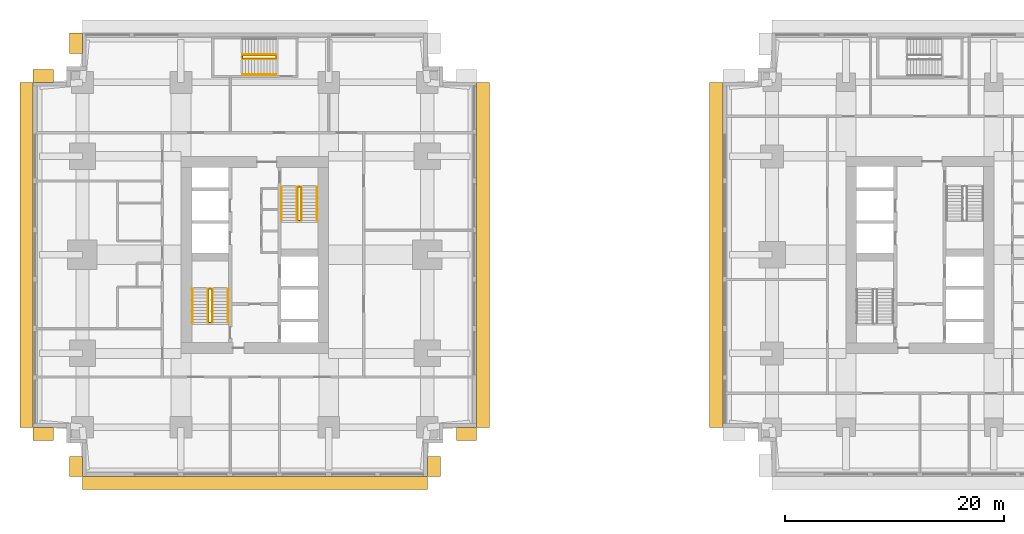
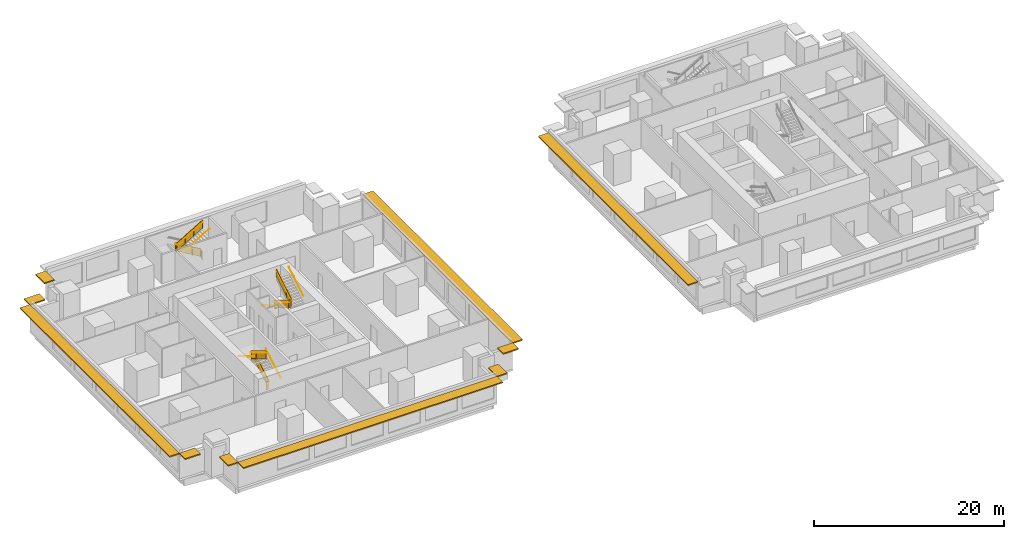
# One storey, part 9 of 11: 14 railings, 10 shading devices.
"""IFC4 building model written with IfcOpenShell, lengths in metres."""

from ifc_helpers import new_model, si_unit, direction, frame, origin, origin_2d, place, context, subcontext, project, spatial, polyline, rectangle, circle, outline, extrude, material, layer, layer_set, type_object, element, save


model = new_model("IFC4")

# Units and contexts
model_context = context("Model", 3, precision=1e-05, world=origin(), true_north=direction((0.0, 1.0)))
body_context = subcontext(model_context, "Body", "Model", "MODEL_VIEW")
ifc_project = project(units=[si_unit("LENGTHUNIT", "METRE"), si_unit("AREAUNIT", "SQUARE_METRE"), si_unit("VOLUMEUNIT", "CUBIC_METRE"), si_unit("PLANEANGLEUNIT", "RADIAN"), si_unit("MASSUNIT", "GRAM", prefix="KILO")], contexts=[model_context])

# Site, building, storey
site_placement = place(None, origin())
site = spatial("IfcSite", under=ifc_project, at=site_placement, CompositionType="ELEMENT")
building_placement = place(site_placement, origin())
building = spatial("IfcBuilding", under=site, at=building_placement, Name="Namib Vertical Campus", CompositionType="ELEMENT")
storey_placement = place(building_placement, frame((0.0, 0.0, 65.0)))
storey = spatial("IfcBuildingStorey", under=building, at=storey_placement, Name="L15", CompositionType="ELEMENT", Elevation=65.0)

# Railings
ifc_material_1 = material(Name="Steel handrail", Category="steel")
railing_type_1 = type_object("IfcRailingType", Name="Handrail 900", PredefinedType="HANDRAIL", material=ifc_material_1)
railing_1_placement = place(storey_placement, frame((17.800048828125, 14.050048828125, 0.166748046875)))
element("IfcRailing", 1, at=railing_1_placement, inside=storey, type_object=railing_type_1, Name="Handrail HR1 A-S1 L15 1", PredefinedType="HANDRAIL", context=body_context, shape_type="SweptSolid", body=[
    extrude(circle(Radius=0.02392578125, at=origin_2d()), frame((0.0, 0.0, 0.8759765625), z_axis=(0.0, 0.859290745958, 0.51148745235), x_axis=(-1.0, 0.0, 0.0)), (0.0, 0.0, 1.0), 3.584228515625),
    extrude(circle(Radius=0.008056640625, at=origin_2d()), frame((0.0, 0.0, 0.8759765625), z_axis=(1.0, 0.0, 0.0), x_axis=(0.0, 0.0, 1.0)), (0.0, 0.0, 1.0), 0.050048828125),
    extrude(circle(Radius=0.008056640625, at=origin_2d()), frame((0.0, 1.026611328125, 1.48681640625), z_axis=(1.0, 0.0, 0.0), x_axis=(0.0, 0.0, 1.0)), (0.0, 0.0, 1.0), 0.050048828125),
    extrude(circle(Radius=0.008056640625, at=origin_2d()), frame((0.0, 2.05322265625, 2.09814453125), z_axis=(1.0, 0.0, 0.0), x_axis=(0.0, 0.0, 1.0)), (0.0, 0.0, 1.0), 0.050048828125),
    extrude(circle(Radius=0.008056640625, at=origin_2d()), frame((0.0, 3.079833984375, 2.708984375), z_axis=(1.0, 0.0, 0.0), x_axis=(0.0, 0.0, 1.0)), (0.0, 0.0, 1.0), 0.050048828125),
])
railing_2_placement = place(storey_placement, frame((14.550048828125, 17.1298828125, 2.166748046875)))
element("IfcRailing", 2, at=railing_2_placement, inside=storey, type_object=railing_type_1, Name="Handrail HR1 A-S1 L15 2", PredefinedType="HANDRAIL", context=body_context, shape_type="SweptSolid", body=[
    extrude(circle(Radius=0.02392578125, at=origin_2d()), frame((0.0, 0.0, 0.8759765625), z_axis=(0.0, -0.859290745958, 0.51148745235), x_axis=(1.0, 0.0, 0.0)), (0.0, 0.0, 1.0), 3.584228515625),
    extrude(circle(Radius=0.008056640625, at=origin_2d()), frame((0.0, 0.0, 0.8759765625), z_axis=(-1.0, 0.0, 0.0), x_axis=(0.0, 0.0, 1.0)), (0.0, 0.0, 1.0), 0.050048828125),
    extrude(circle(Radius=0.008056640625, at=origin_2d()), frame((0.0, -1.026611328125, 1.48681640625), z_axis=(-1.0, 0.0, 0.0), x_axis=(0.0, 0.0, 1.0)), (0.0, 0.0, 1.0), 0.050048828125),
    extrude(circle(Radius=0.008056640625, at=origin_2d()), frame((0.0, -2.05322265625, 2.09814453125), z_axis=(-1.0, 0.0, 0.0), x_axis=(0.0, 0.0, 1.0)), (0.0, 0.0, 1.0), 0.050048828125),
    extrude(circle(Radius=0.008056640625, at=origin_2d()), frame((0.0, -3.079833984375, 2.708984375), z_axis=(-1.0, 0.0, 0.0), x_axis=(0.0, 0.0, 1.0)), (0.0, 0.0, 1.0), 0.050048828125),
])
railing_3_placement = place(storey_placement, frame((16.375, 14.050048828125, 0.166748046875)))
element("IfcRailing", 3, at=railing_3_placement, inside=storey, type_object=railing_type_1, Name="Handrail HR1 A-S1 L15 1 at the well", PredefinedType="HANDRAIL", context=body_context, shape_type="SweptSolid", body=[
    extrude(circle(Radius=0.02392578125, at=origin_2d()), frame((0.0, 0.0, 0.8759765625), z_axis=(0.0, 0.859290745958, 0.51148745235), x_axis=(-1.0, 0.0, 0.0)), (0.0, 0.0, 1.0), 3.584228515625),
    extrude(circle(Radius=0.008056640625, at=origin_2d()), frame((0.0, 0.0, 0.8759765625), z_axis=(-1.0, 0.0, 0.0), x_axis=(0.0, 0.0, 1.0)), (0.0, 0.0, 1.0), 0.0400390625),
    extrude(circle(Radius=0.008056640625, at=origin_2d()), frame((0.0, 1.026611328125, 1.48681640625), z_axis=(-1.0, 0.0, 0.0), x_axis=(0.0, 0.0, 1.0)), (0.0, 0.0, 1.0), 0.0400390625),
    extrude(circle(Radius=0.008056640625, at=origin_2d()), frame((0.0, 2.05322265625, 2.09814453125), z_axis=(-1.0, 0.0, 0.0), x_axis=(0.0, 0.0, 1.0)), (0.0, 0.0, 1.0), 0.0400390625),
    extrude(circle(Radius=0.008056640625, at=origin_2d()), frame((0.0, 3.079833984375, 2.708984375), z_axis=(-1.0, 0.0, 0.0), x_axis=(0.0, 0.0, 1.0)), (0.0, 0.0, 1.0), 0.0400390625),
])
railing_4_placement = place(storey_placement, frame((15.97509765625, 17.1298828125, 2.166748046875)))
element("IfcRailing", 4, at=railing_4_placement, inside=storey, type_object=railing_type_1, Name="Handrail HR1 A-S1 L15 2 at the well", PredefinedType="HANDRAIL", context=body_context, shape_type="SweptSolid", body=[
    extrude(circle(Radius=0.02392578125, at=origin_2d()), frame((0.0, 0.0, 0.8759765625), z_axis=(0.0, -0.859290745958, 0.51148745235), x_axis=(1.0, 0.0, 0.0)), (0.0, 0.0, 1.0), 3.584228515625),
    extrude(circle(Radius=0.008056640625, at=origin_2d()), frame((0.0, 0.0, 0.8759765625), z_axis=(1.0, 0.0, 0.0), x_axis=(0.0, 0.0, 1.0)), (0.0, 0.0, 1.0), 0.0400390625),
    extrude(circle(Radius=0.008056640625, at=origin_2d()), frame((0.0, -1.026611328125, 1.48681640625), z_axis=(1.0, 0.0, 0.0), x_axis=(0.0, 0.0, 1.0)), (0.0, 0.0, 1.0), 0.0400390625),
    extrude(circle(Radius=0.008056640625, at=origin_2d()), frame((0.0, -2.05322265625, 2.09814453125), z_axis=(1.0, 0.0, 0.0), x_axis=(0.0, 0.0, 1.0)), (0.0, 0.0, 1.0), 0.0400390625),
    extrude(circle(Radius=0.008056640625, at=origin_2d()), frame((0.0, -3.079833984375, 2.708984375), z_axis=(1.0, 0.0, 0.0), x_axis=(0.0, 0.0, 1.0)), (0.0, 0.0, 1.0), 0.0400390625),
])
railing_5_placement = place(storey_placement, frame((22.699951171875, 26.449951171875, 0.166748046875)))
element("IfcRailing", 5, at=railing_5_placement, inside=storey, type_object=railing_type_1, Name="Handrail HR1 A-S2 L15 1", PredefinedType="HANDRAIL", context=body_context, shape_type="SweptSolid", body=[
    extrude(circle(Radius=0.02392578125, at=origin_2d()), frame((0.0, 0.0, 0.8759765625), z_axis=(0.0, -0.859290745958, 0.51148745235), x_axis=(1.0, 0.0, 0.0)), (0.0, 0.0, 1.0), 3.584228515625),
    extrude(circle(Radius=0.008056640625, at=origin_2d()), frame((0.0, 0.0, 0.8759765625), z_axis=(-1.0, 0.0, 0.0), x_axis=(0.0, 0.0, 1.0)), (0.0, 0.0, 1.0), 0.050048828125),
    extrude(circle(Radius=0.008056640625, at=origin_2d()), frame((0.0, -1.026611328125, 1.48681640625), z_axis=(-1.0, 0.0, 0.0), x_axis=(0.0, 0.0, 1.0)), (0.0, 0.0, 1.0), 0.050048828125),
    extrude(circle(Radius=0.008056640625, at=origin_2d()), frame((0.0, -2.05322265625, 2.09814453125), z_axis=(-1.0, 0.0, 0.0), x_axis=(0.0, 0.0, 1.0)), (0.0, 0.0, 1.0), 0.050048828125),
    extrude(circle(Radius=0.008056640625, at=origin_2d()), frame((0.0, -3.079833984375, 2.708984375), z_axis=(-1.0, 0.0, 0.0), x_axis=(0.0, 0.0, 1.0)), (0.0, 0.0, 1.0), 0.050048828125),
])
railing_6_placement = place(storey_placement, frame((25.949951171875, 23.3701171875, 2.166748046875)))
element("IfcRailing", 6, at=railing_6_placement, inside=storey, type_object=railing_type_1, Name="Handrail HR1 A-S2 L15 2", PredefinedType="HANDRAIL", context=body_context, shape_type="SweptSolid", body=[
    extrude(circle(Radius=0.02392578125, at=origin_2d()), frame((0.0, 0.0, 0.8759765625), z_axis=(0.0, 0.859290745958, 0.51148745235), x_axis=(-1.0, 0.0, 0.0)), (0.0, 0.0, 1.0), 3.584228515625),
    extrude(circle(Radius=0.008056640625, at=origin_2d()), frame((0.0, 0.0, 0.8759765625), z_axis=(1.0, 0.0, 0.0), x_axis=(0.0, 0.0, 1.0)), (0.0, 0.0, 1.0), 0.050048828125),
    extrude(circle(Radius=0.008056640625, at=origin_2d()), frame((0.0, 1.026611328125, 1.48681640625), z_axis=(1.0, 0.0, 0.0), x_axis=(0.0, 0.0, 1.0)), (0.0, 0.0, 1.0), 0.050048828125),
    extrude(circle(Radius=0.008056640625, at=origin_2d()), frame((0.0, 2.05322265625, 2.09814453125), z_axis=(1.0, 0.0, 0.0), x_axis=(0.0, 0.0, 1.0)), (0.0, 0.0, 1.0), 0.050048828125),
    extrude(circle(Radius=0.008056640625, at=origin_2d()), frame((0.0, 3.079833984375, 2.708984375), z_axis=(1.0, 0.0, 0.0), x_axis=(0.0, 0.0, 1.0)), (0.0, 0.0, 1.0), 0.050048828125),
])
railing_7_placement = place(storey_placement, frame((24.125, 26.449951171875, 0.166748046875)))
element("IfcRailing", 7, at=railing_7_placement, inside=storey, type_object=railing_type_1, Name="Handrail HR1 A-S2 L15 1 at the well", PredefinedType="HANDRAIL", context=body_context, shape_type="SweptSolid", body=[
    extrude(circle(Radius=0.02392578125, at=origin_2d()), frame((0.0, 0.0, 0.8759765625), z_axis=(0.0, -0.859290745958, 0.51148745235), x_axis=(1.0, 0.0, 0.0)), (0.0, 0.0, 1.0), 3.584228515625),
    extrude(circle(Radius=0.008056640625, at=origin_2d()), frame((0.0, 0.0, 0.8759765625), z_axis=(1.0, 0.0, 0.0), x_axis=(0.0, 0.0, 1.0)), (0.0, 0.0, 1.0), 0.0400390625),
    extrude(circle(Radius=0.008056640625, at=origin_2d()), frame((0.0, -1.026611328125, 1.48681640625), z_axis=(1.0, 0.0, 0.0), x_axis=(0.0, 0.0, 1.0)), (0.0, 0.0, 1.0), 0.0400390625),
    extrude(circle(Radius=0.008056640625, at=origin_2d()), frame((0.0, -2.05322265625, 2.09814453125), z_axis=(1.0, 0.0, 0.0), x_axis=(0.0, 0.0, 1.0)), (0.0, 0.0, 1.0), 0.0400390625),
    extrude(circle(Radius=0.008056640625, at=origin_2d()), frame((0.0, -3.079833984375, 2.708984375), z_axis=(1.0, 0.0, 0.0), x_axis=(0.0, 0.0, 1.0)), (0.0, 0.0, 1.0), 0.0400390625),
])
railing_8_placement = place(storey_placement, frame((24.52490234375, 23.3701171875, 2.166748046875)))
element("IfcRailing", 8, at=railing_8_placement, inside=storey, type_object=railing_type_1, Name="Handrail HR1 A-S2 L15 2 at the well", PredefinedType="HANDRAIL", context=body_context, shape_type="SweptSolid", body=[
    extrude(circle(Radius=0.02392578125, at=origin_2d()), frame((0.0, 0.0, 0.8759765625), z_axis=(0.0, 0.859290745958, 0.51148745235), x_axis=(-1.0, 0.0, 0.0)), (0.0, 0.0, 1.0), 3.584228515625),
    extrude(circle(Radius=0.008056640625, at=origin_2d()), frame((0.0, 0.0, 0.8759765625), z_axis=(-1.0, 0.0, 0.0), x_axis=(0.0, 0.0, 1.0)), (0.0, 0.0, 1.0), 0.0400390625),
    extrude(circle(Radius=0.008056640625, at=origin_2d()), frame((0.0, 1.026611328125, 1.48681640625), z_axis=(-1.0, 0.0, 0.0), x_axis=(0.0, 0.0, 1.0)), (0.0, 0.0, 1.0), 0.0400390625),
    extrude(circle(Radius=0.008056640625, at=origin_2d()), frame((0.0, 2.05322265625, 2.09814453125), z_axis=(-1.0, 0.0, 0.0), x_axis=(0.0, 0.0, 1.0)), (0.0, 0.0, 1.0), 0.0400390625),
    extrude(circle(Radius=0.008056640625, at=origin_2d()), frame((0.0, 3.079833984375, 2.708984375), z_axis=(-1.0, 0.0, 0.0), x_axis=(0.0, 0.0, 1.0)), (0.0, 0.0, 1.0), 0.0400390625),
])
railing_9_placement = place(storey_placement, frame((19.1201171875, 36.699951171875, 2.166748046875)))
element("IfcRailing", 9, at=railing_9_placement, inside=storey, type_object=railing_type_1, Name="Handrail HR1 A-S3 L15 2", PredefinedType="HANDRAIL", context=body_context, shape_type="SweptSolid", body=[
    extrude(circle(Radius=0.02392578125, at=origin_2d()), frame((0.0, 0.0, 0.8759765625), z_axis=(0.859290745958, 0.0, 0.51148745235), x_axis=(0.0, 1.0, 0.0)), (0.0, 0.0, 1.0), 3.584228515625),
    extrude(circle(Radius=0.008056640625, at=origin_2d()), frame((0.0, 0.0, 0.8759765625), z_axis=(0.0, -1.0, 0.0), x_axis=(0.0, 0.0, 1.0)), (0.0, 0.0, 1.0), 0.050048828125),
    extrude(circle(Radius=0.008056640625, at=origin_2d()), frame((1.026611328125, 0.0, 1.48681640625), z_axis=(0.0, -1.0, 0.0), x_axis=(0.0, 0.0, 1.0)), (0.0, 0.0, 1.0), 0.050048828125),
    extrude(circle(Radius=0.008056640625, at=origin_2d()), frame((2.05322265625, 0.0, 2.09814453125), z_axis=(0.0, -1.0, 0.0), x_axis=(0.0, 0.0, 1.0)), (0.0, 0.0, 1.0), 0.050048828125),
    extrude(circle(Radius=0.008056640625, at=origin_2d()), frame((3.079833984375, 0.0, 2.708984375), z_axis=(0.0, -1.0, 0.0), x_axis=(0.0, 0.0, 1.0)), (0.0, 0.0, 1.0), 0.050048828125),
])
railing_10_placement = place(storey_placement, frame((22.199951171875, 38.52490234375, 0.166748046875)))
element("IfcRailing", 10, at=railing_10_placement, inside=storey, type_object=railing_type_1, Name="Handrail HR1 A-S3 L15 1 at the well", PredefinedType="HANDRAIL", context=body_context, shape_type="SweptSolid", body=[
    extrude(circle(Radius=0.02392578125, at=origin_2d()), frame((0.0, 0.0, 0.8759765625), z_axis=(-0.859290745958, 0.0, 0.51148745235), x_axis=(0.0, -1.0, 0.0)), (0.0, 0.0, 1.0), 3.584228515625),
    extrude(circle(Radius=0.008056640625, at=origin_2d()), frame((0.0, 0.0, 0.8759765625), z_axis=(0.0, -1.0, 0.0), x_axis=(0.0, 0.0, 1.0)), (0.0, 0.0, 1.0), 0.0400390625),
    extrude(circle(Radius=0.008056640625, at=origin_2d()), frame((-1.026611328125, 0.0, 1.48681640625), z_axis=(0.0, -1.0, 0.0), x_axis=(0.0, 0.0, 1.0)), (0.0, 0.0, 1.0), 0.0400390625),
    extrude(circle(Radius=0.008056640625, at=origin_2d()), frame((-2.05322265625, 0.0, 2.09814453125), z_axis=(0.0, -1.0, 0.0), x_axis=(0.0, 0.0, 1.0)), (0.0, 0.0, 1.0), 0.0400390625),
    extrude(circle(Radius=0.008056640625, at=origin_2d()), frame((-3.079833984375, 0.0, 2.708984375), z_axis=(0.0, -1.0, 0.0), x_axis=(0.0, 0.0, 1.0)), (0.0, 0.0, 1.0), 0.0400390625),
])
railing_11_placement = place(storey_placement, frame((19.1201171875, 38.125, 2.166748046875)))
element("IfcRailing", 11, at=railing_11_placement, inside=storey, type_object=railing_type_1, Name="Handrail HR1 A-S3 L15 2 at the well", PredefinedType="HANDRAIL", context=body_context, shape_type="SweptSolid", body=[
    extrude(circle(Radius=0.02392578125, at=origin_2d()), frame((0.0, 0.0, 0.8759765625), z_axis=(0.859290745958, 0.0, 0.51148745235), x_axis=(0.0, 1.0, 0.0)), (0.0, 0.0, 1.0), 3.584228515625),
    extrude(circle(Radius=0.008056640625, at=origin_2d()), frame((0.0, 0.0, 0.8759765625), z_axis=(0.0, 1.0, 0.0), x_axis=(0.0, 0.0, 1.0)), (0.0, 0.0, 1.0), 0.0400390625),
    extrude(circle(Radius=0.008056640625, at=origin_2d()), frame((1.026611328125, 0.0, 1.48681640625), z_axis=(0.0, 1.0, 0.0), x_axis=(0.0, 0.0, 1.0)), (0.0, 0.0, 1.0), 0.0400390625),
    extrude(circle(Radius=0.008056640625, at=origin_2d()), frame((2.05322265625, 0.0, 2.09814453125), z_axis=(0.0, 1.0, 0.0), x_axis=(0.0, 0.0, 1.0)), (0.0, 0.0, 1.0), 0.0400390625),
    extrude(circle(Radius=0.008056640625, at=origin_2d()), frame((3.079833984375, 0.0, 2.708984375), z_axis=(0.0, 1.0, 0.0), x_axis=(0.0, 0.0, 1.0)), (0.0, 0.0, 1.0), 0.0400390625),
])
ifc_material_2 = material(Name="Steel balustrade", Category="steel")
railing_type_2 = type_object("IfcRailingType", Name="Stair guard 1100", PredefinedType="GUARDRAIL", material=ifc_material_2)
railing_12_placement = place(storey_placement, frame((16.02490234375, 14.050048828125, 0.0)))
element("IfcRailing", 12, at=railing_12_placement, inside=storey, type_object=railing_type_2, Name="Stair guard GR1 A-S1 L15", PredefinedType="GUARDRAIL", context=body_context, shape_type="SweptSolid", body=[
    extrude(circle(Radius=0.02392578125, at=origin_2d()), frame((0.0, 0.0, 1.076171875), z_axis=(1.0, 0.0, 0.0), x_axis=(0.0, 1.0, 0.0)), (0.0, 0.0, 1.0), 0.300048828125),
    extrude(outline(polyline([(0.02099609375, 0.050048828125), (0.279052734375, 0.050048828125), (0.279052734375, 1.052001953125), (0.02099609375, 1.052001953125), (0.02099609375, 0.050048828125)])), frame((0.0, 0.010009765625, 0.0), z_axis=(0.0, -1.0, 0.0), x_axis=(1.0, 0.0, 0.0)), (0.0, 0.0, 1.0), 0.02001953125),
    extrude(circle(Radius=0.02392578125, at=origin_2d()), frame((0.300048828125, 0.0, 1.076171875), z_axis=(0.0, 0.0, 1.0), x_axis=(1.0, 0.0, 0.0)), (0.0, 0.0, 1.0), 0.166748046875),
    extrude(circle(Radius=0.02392578125, at=origin_2d()), frame((0.300048828125, 0.0, 1.24267578125), z_axis=(0.0, 0.859290745958, 0.51148745235), x_axis=(-1.0, 0.0, 0.0)), (0.0, 0.0, 1.0), 3.584228515625),
    extrude(outline(polyline([(0.02099609375, 0.0625), (3.058837890625, 1.870849609375), (3.058837890625, 2.872802734375), (0.02099609375, 1.064453125), (0.02099609375, 0.0625)])), frame((0.2900390625, 0.0, 0.166748046875), z_axis=(1.0, 0.0, 0.0), x_axis=(0.0, 1.0, 0.0)), (0.0, 0.0, 1.0), 0.02001953125),
    extrude(circle(Radius=0.02392578125, at=origin_2d()), frame((0.300048828125, 3.079833984375, 3.076171875), z_axis=(-1.0, 0.0, 0.0), x_axis=(0.0, -1.0, 0.0)), (0.0, 0.0, 1.0), 0.300048828125),
    extrude(outline(polyline([(0.02099609375, 0.050048828125), (0.279052734375, 0.050048828125), (0.279052734375, 1.052001953125), (0.02099609375, 1.052001953125), (0.02099609375, 0.050048828125)])), frame((0.300048828125, 3.06982421875, 2.0), z_axis=(0.0, 1.0, 0.0), x_axis=(-1.0, 0.0, 0.0)), (0.0, 0.0, 1.0), 0.02001953125),
    extrude(circle(Radius=0.02392578125, at=origin_2d()), frame((0.0, 3.079833984375, 3.076171875), z_axis=(0.0, 0.0, 1.0), x_axis=(1.0, 0.0, 0.0)), (0.0, 0.0, 1.0), 0.166748046875),
    extrude(circle(Radius=0.02392578125, at=origin_2d()), frame((0.0, 3.079833984375, 3.24267578125), z_axis=(0.0, -0.859290745958, 0.51148745235), x_axis=(1.0, 0.0, 0.0)), (0.0, 0.0, 1.0), 3.584228515625),
    extrude(outline(polyline([(0.02099609375, 0.0625), (3.058837890625, 1.870849609375), (3.058837890625, 2.872802734375), (0.02099609375, 1.064453125), (0.02099609375, 0.0625)])), frame((0.010009765625, 3.079833984375, 2.166748046875), z_axis=(-1.0, 0.0, 0.0), x_axis=(0.0, -1.0, 0.0)), (0.0, 0.0, 1.0), 0.02001953125),
    extrude(circle(Radius=0.02392578125, at=origin_2d()), frame((0.0, 0.0, 5.076171875), z_axis=(0.0, -1.0, 0.0), x_axis=(1.0, 0.0, 0.0)), (0.0, 0.0, 1.0), 0.050048828125),
    extrude(outline(polyline([(0.02099609375, 0.050048828125), (0.029052734375, 0.050048828125), (0.029052734375, 1.052001953125), (0.02099609375, 1.052001953125), (0.02099609375, 0.050048828125)])), frame((0.010009765625, 0.0, 4.0), z_axis=(-1.0, 0.0, 0.0), x_axis=(0.0, -1.0, 0.0)), (0.0, 0.0, 1.0), 0.02001953125),
    extrude(circle(Radius=0.02099609375, at=origin_2d()), origin(), (0.0, 0.0, 1.0), 1.052001953125),
    extrude(circle(Radius=0.02099609375, at=origin_2d()), frame((0.300048828125, 0.0, 0.166748046875)), (0.0, 0.0, 1.0), 1.052001953125),
    extrude(circle(Radius=0.02099609375, at=origin_2d()), frame((0.300048828125, 1.026611328125, 0.666748046875)), (0.0, 0.0, 1.0), 1.1630859375),
    extrude(circle(Radius=0.02099609375, at=origin_2d()), frame((0.300048828125, 2.05322265625, 1.33349609375)), (0.0, 0.0, 1.0), 1.107421875),
    extrude(circle(Radius=0.02099609375, at=origin_2d()), frame((0.300048828125, 3.079833984375, 2.0)), (0.0, 0.0, 1.0), 1.052001953125),
    extrude(circle(Radius=0.02099609375, at=origin_2d()), frame((0.0, 3.079833984375, 2.166748046875)), (0.0, 0.0, 1.0), 1.052001953125),
    extrude(circle(Radius=0.02099609375, at=origin_2d()), frame((0.0, 2.05322265625, 2.666748046875)), (0.0, 0.0, 1.0), 1.1630859375),
    extrude(circle(Radius=0.02099609375, at=origin_2d()), frame((0.0, 1.026611328125, 3.33349609375)), (0.0, 0.0, 1.0), 1.107421875),
    extrude(circle(Radius=0.02099609375, at=origin_2d()), frame((0.0, 0.0, 4.0)), (0.0, 0.0, 1.0), 1.052001953125),
    extrude(circle(Radius=0.02099609375, at=origin_2d()), frame((0.0, -0.050048828125, 4.0)), (0.0, 0.0, 1.0), 1.052001953125),
])
railing_13_placement = place(storey_placement, frame((24.47509765625, 26.449951171875, 0.0)))
element("IfcRailing", 13, at=railing_13_placement, inside=storey, type_object=railing_type_2, Name="Stair guard GR1 A-S2 L15", PredefinedType="GUARDRAIL", context=body_context, shape_type="SweptSolid", body=[
    extrude(circle(Radius=0.02392578125, at=origin_2d()), frame((0.0, 0.0, 1.076171875), z_axis=(-1.0, 0.0, 0.0), x_axis=(0.0, -1.0, 0.0)), (0.0, 0.0, 1.0), 0.300048828125),
    extrude(outline(polyline([(0.02099609375, 0.050048828125), (0.279052734375, 0.050048828125), (0.279052734375, 1.052001953125), (0.02099609375, 1.052001953125), (0.02099609375, 0.050048828125)])), frame((0.0, -0.010009765625, 0.0), z_axis=(0.0, 1.0, 0.0), x_axis=(-1.0, 0.0, 0.0)), (0.0, 0.0, 1.0), 0.02001953125),
    extrude(circle(Radius=0.02392578125, at=origin_2d()), frame((-0.300048828125, 0.0, 1.076171875), z_axis=(0.0, 0.0, 1.0), x_axis=(1.0, 0.0, 0.0)), (0.0, 0.0, 1.0), 0.166748046875),
    extrude(circle(Radius=0.02392578125, at=origin_2d()), frame((-0.300048828125, 0.0, 1.24267578125), z_axis=(0.0, -0.859290745958, 0.51148745235), x_axis=(1.0, 0.0, 0.0)), (0.0, 0.0, 1.0), 3.584228515625),
    extrude(outline(polyline([(0.02099609375, 0.0625), (3.058837890625, 1.870849609375), (3.058837890625, 2.872802734375), (0.02099609375, 1.064453125), (0.02099609375, 0.0625)])), frame((-0.2900390625, 0.0, 0.166748046875), z_axis=(-1.0, 0.0, 0.0), x_axis=(0.0, -1.0, 0.0)), (0.0, 0.0, 1.0), 0.02001953125),
    extrude(circle(Radius=0.02392578125, at=origin_2d()), frame((-0.300048828125, -3.079833984375, 3.076171875), z_axis=(1.0, 0.0, 0.0), x_axis=(0.0, 1.0, 0.0)), (0.0, 0.0, 1.0), 0.300048828125),
    extrude(outline(polyline([(0.02099609375, 0.050048828125), (0.279052734375, 0.050048828125), (0.279052734375, 1.052001953125), (0.02099609375, 1.052001953125), (0.02099609375, 0.050048828125)])), frame((-0.300048828125, -3.06982421875, 2.0), z_axis=(0.0, -1.0, 0.0), x_axis=(1.0, 0.0, 0.0)), (0.0, 0.0, 1.0), 0.02001953125),
    extrude(circle(Radius=0.02392578125, at=origin_2d()), frame((0.0, -3.079833984375, 3.076171875), z_axis=(0.0, 0.0, 1.0), x_axis=(1.0, 0.0, 0.0)), (0.0, 0.0, 1.0), 0.166748046875),
    extrude(circle(Radius=0.02392578125, at=origin_2d()), frame((0.0, -3.079833984375, 3.24267578125), z_axis=(0.0, 0.859290745958, 0.51148745235), x_axis=(-1.0, 0.0, 0.0)), (0.0, 0.0, 1.0), 3.584228515625),
    extrude(outline(polyline([(0.02099609375, 0.0625), (3.058837890625, 1.870849609375), (3.058837890625, 2.872802734375), (0.02099609375, 1.064453125), (0.02099609375, 0.0625)])), frame((-0.010009765625, -3.079833984375, 2.166748046875), z_axis=(1.0, 0.0, 0.0), x_axis=(0.0, 1.0, 0.0)), (0.0, 0.0, 1.0), 0.02001953125),
    extrude(circle(Radius=0.02392578125, at=origin_2d()), frame((0.0, 0.0, 5.076171875), z_axis=(0.0, 1.0, 0.0), x_axis=(-1.0, 0.0, 0.0)), (0.0, 0.0, 1.0), 0.050048828125),
    extrude(outline(polyline([(0.02099609375, 0.050048828125), (0.029052734375, 0.050048828125), (0.029052734375, 1.052001953125), (0.02099609375, 1.052001953125), (0.02099609375, 0.050048828125)])), frame((-0.010009765625, 0.0, 4.0), z_axis=(1.0, 0.0, 0.0), x_axis=(0.0, 1.0, 0.0)), (0.0, 0.0, 1.0), 0.02001953125),
    extrude(circle(Radius=0.02099609375, at=origin_2d()), origin(), (0.0, 0.0, 1.0), 1.052001953125),
    extrude(circle(Radius=0.02099609375, at=origin_2d()), frame((-0.300048828125, 0.0, 0.166748046875)), (0.0, 0.0, 1.0), 1.052001953125),
    extrude(circle(Radius=0.02099609375, at=origin_2d()), frame((-0.300048828125, -1.026611328125, 0.666748046875)), (0.0, 0.0, 1.0), 1.1630859375),
    extrude(circle(Radius=0.02099609375, at=origin_2d()), frame((-0.300048828125, -2.05322265625, 1.33349609375)), (0.0, 0.0, 1.0), 1.107421875),
    extrude(circle(Radius=0.02099609375, at=origin_2d()), frame((-0.300048828125, -3.079833984375, 2.0)), (0.0, 0.0, 1.0), 1.052001953125),
    extrude(circle(Radius=0.02099609375, at=origin_2d()), frame((0.0, -3.079833984375, 2.166748046875)), (0.0, 0.0, 1.0), 1.052001953125),
    extrude(circle(Radius=0.02099609375, at=origin_2d()), frame((0.0, -2.05322265625, 2.666748046875)), (0.0, 0.0, 1.0), 1.1630859375),
    extrude(circle(Radius=0.02099609375, at=origin_2d()), frame((0.0, -1.026611328125, 3.33349609375)), (0.0, 0.0, 1.0), 1.107421875),
    extrude(circle(Radius=0.02099609375, at=origin_2d()), frame((0.0, 0.0, 4.0)), (0.0, 0.0, 1.0), 1.052001953125),
    extrude(circle(Radius=0.02099609375, at=origin_2d()), frame((0.0, 0.050048828125, 4.0)), (0.0, 0.0, 1.0), 1.052001953125),
])
railing_14_placement = place(storey_placement, frame((22.199951171875, 38.175048828125, 0.0)))
element("IfcRailing", 14, at=railing_14_placement, inside=storey, type_object=railing_type_2, Name="Stair guard GR1 A-S3 L15", PredefinedType="GUARDRAIL", context=body_context, shape_type="SweptSolid", body=[
    extrude(circle(Radius=0.02392578125, at=origin_2d()), frame((0.0, 0.0, 1.076171875), z_axis=(0.0, 1.0, 0.0), x_axis=(-1.0, 0.0, 0.0)), (0.0, 0.0, 1.0), 0.300048828125),
    extrude(outline(polyline([(0.02099609375, 0.050048828125), (0.279052734375, 0.050048828125), (0.279052734375, 1.052001953125), (0.02099609375, 1.052001953125), (0.02099609375, 0.050048828125)])), frame((-0.010009765625, 0.0, 0.0), z_axis=(1.0, 0.0, 0.0), x_axis=(0.0, 1.0, 0.0)), (0.0, 0.0, 1.0), 0.02001953125),
    extrude(circle(Radius=0.02392578125, at=origin_2d()), frame((0.0, 0.300048828125, 1.076171875), z_axis=(0.0, 0.0, 1.0), x_axis=(1.0, 0.0, 0.0)), (0.0, 0.0, 1.0), 0.166748046875),
    extrude(circle(Radius=0.02392578125, at=origin_2d()), frame((0.0, 0.300048828125, 1.24267578125), z_axis=(-0.859290745958, 0.0, 0.51148745235), x_axis=(0.0, -1.0, 0.0)), (0.0, 0.0, 1.0), 3.584228515625),
    extrude(outline(polyline([(0.02099609375, 0.0625), (3.058837890625, 1.870849609375), (3.058837890625, 2.872802734375), (0.02099609375, 1.064453125), (0.02099609375, 0.0625)])), frame((0.0, 0.2900390625, 0.166748046875), z_axis=(0.0, 1.0, 0.0), x_axis=(-1.0, 0.0, 0.0)), (0.0, 0.0, 1.0), 0.02001953125),
    extrude(circle(Radius=0.02392578125, at=origin_2d()), frame((-3.079833984375, 0.300048828125, 3.076171875), z_axis=(0.0, -1.0, 0.0), x_axis=(1.0, 0.0, 0.0)), (0.0, 0.0, 1.0), 0.300048828125),
    extrude(outline(polyline([(0.02099609375, 0.050048828125), (0.279052734375, 0.050048828125), (0.279052734375, 1.052001953125), (0.02099609375, 1.052001953125), (0.02099609375, 0.050048828125)])), frame((-3.06982421875, 0.300048828125, 2.0), z_axis=(-1.0, 0.0, 0.0), x_axis=(0.0, -1.0, 0.0)), (0.0, 0.0, 1.0), 0.02001953125),
    extrude(circle(Radius=0.02392578125, at=origin_2d()), frame((-3.079833984375, 0.0, 3.076171875), z_axis=(0.0, 0.0, 1.0), x_axis=(1.0, 0.0, 0.0)), (0.0, 0.0, 1.0), 0.166748046875),
    extrude(circle(Radius=0.02392578125, at=origin_2d()), frame((-3.079833984375, 0.0, 3.24267578125), z_axis=(0.859290745958, 0.0, 0.51148745235), x_axis=(0.0, 1.0, 0.0)), (0.0, 0.0, 1.0), 3.584228515625),
    extrude(outline(polyline([(0.02099609375, 0.0625), (3.058837890625, 1.870849609375), (3.058837890625, 2.872802734375), (0.02099609375, 1.064453125), (0.02099609375, 0.0625)])), frame((-3.079833984375, 0.010009765625, 2.166748046875), z_axis=(0.0, -1.0, 0.0), x_axis=(1.0, 0.0, 0.0)), (0.0, 0.0, 1.0), 0.02001953125),
    extrude(circle(Radius=0.02392578125, at=origin_2d()), frame((0.0, 0.0, 5.076171875), z_axis=(1.0, 0.0, 0.0), x_axis=(0.0, 1.0, 0.0)), (0.0, 0.0, 1.0), 0.050048828125),
    extrude(outline(polyline([(0.02099609375, 0.050048828125), (0.029052734375, 0.050048828125), (0.029052734375, 1.052001953125), (0.02099609375, 1.052001953125), (0.02099609375, 0.050048828125)])), frame((0.0, 0.010009765625, 4.0), z_axis=(0.0, -1.0, 0.0), x_axis=(1.0, 0.0, 0.0)), (0.0, 0.0, 1.0), 0.02001953125),
    extrude(circle(Radius=0.02099609375, at=origin_2d()), origin(), (0.0, 0.0, 1.0), 1.052001953125),
    extrude(circle(Radius=0.02099609375, at=origin_2d()), frame((0.0, 0.300048828125, 0.166748046875)), (0.0, 0.0, 1.0), 1.052001953125),
    extrude(circle(Radius=0.02099609375, at=origin_2d()), frame((-1.026611328125, 0.300048828125, 0.666748046875)), (0.0, 0.0, 1.0), 1.1630859375),
    extrude(circle(Radius=0.02099609375, at=origin_2d()), frame((-2.05322265625, 0.300048828125, 1.33349609375)), (0.0, 0.0, 1.0), 1.107421875),
    extrude(circle(Radius=0.02099609375, at=origin_2d()), frame((-3.079833984375, 0.300048828125, 2.0)), (0.0, 0.0, 1.0), 1.052001953125),
    extrude(circle(Radius=0.02099609375, at=origin_2d()), frame((-3.079833984375, 0.0, 2.166748046875)), (0.0, 0.0, 1.0), 1.052001953125),
    extrude(circle(Radius=0.02099609375, at=origin_2d()), frame((-2.05322265625, 0.0, 2.666748046875)), (0.0, 0.0, 1.0), 1.1630859375),
    extrude(circle(Radius=0.02099609375, at=origin_2d()), frame((-1.026611328125, 0.0, 3.33349609375)), (0.0, 0.0, 1.0), 1.107421875),
    extrude(circle(Radius=0.02099609375, at=origin_2d()), frame((0.0, 0.0, 4.0)), (0.0, 0.0, 1.0), 1.052001953125),
    extrude(circle(Radius=0.02099609375, at=origin_2d()), frame((0.050048828125, 0.0, 4.0)), (0.0, 0.0, 1.0), 1.052001953125),
])

# Shading devices
ifc_material_3 = material(Name="Concrete C40/50 precast", Category="concrete")
ifc_layer = layer(ifc_material_3, 0.14990234375)
ifc_layer_set = layer_set([ifc_layer], Name="Concrete C40/50 precast")
shading_device_type = type_object("IfcShadingDeviceType", Name="Sunshade hood 1200", PredefinedType="SHUTTER", material=ifc_layer_set)
shading_device_1_placement = place(storey_placement, frame((20.25, -0.60009765625, 3.199951171875), z_axis=(0.0, 0.0, 1.0), x_axis=(1.0, 0.0, 0.0)))
element("IfcShadingDevice", 15, at=shading_device_1_placement, inside=storey, type_object=shading_device_type, Name="Sunshade SH2 L15 1", PredefinedType="SHUTTER", context=body_context, shape_type="SweptSolid", body=[
    extrude(rectangle(XDim=31.5, YDim=1.199951171875, at=origin_2d()), origin(), (0.0, 0.0, 1.0), 0.14990234375),
])
for number, where, z_axis, x_axis, name in (
    (16, (36.60009765625, 0.925048828125, 3.199951171875), (0.0, 0.0, 1.0), (0.0, 1.0, 0.0), "Sunshade SH2 L15 2"),
    (17, (39.574951171875, 3.89990234375, 3.199951171875), (0.0, 0.0, 1.0), (1.0, 0.0, 0.0), "Sunshade SH2 L15 5"),
):
    element("IfcShadingDevice", number, at=place(storey_placement, frame(where, z_axis=z_axis, x_axis=x_axis)), inside=storey, type_object=shading_device_type, Name=name, PredefinedType="SHUTTER", context=body_context, shape_type="SweptSolid", body=[
        extrude(rectangle(XDim=1.85009765625, YDim=1.199951171875, at=origin_2d()), origin(), (0.0, 0.0, 1.0), 0.14990234375),
    ])
shading_device_2_placement = place(storey_placement, frame((41.10009765625, 20.25, 3.199951171875), z_axis=(0.0, 0.0, 1.0), x_axis=(0.0, 1.0, 0.0)))
element("IfcShadingDevice", 18, at=shading_device_2_placement, inside=storey, type_object=shading_device_type, Name="Sunshade SH2 L15 6", PredefinedType="SHUTTER", context=body_context, shape_type="SweptSolid", body=[
    extrude(rectangle(XDim=31.5, YDim=1.199951171875, at=origin_2d()), origin(), (0.0, 0.0, 1.0), 0.14990234375),
])
for number, where, z_axis, x_axis, name in (
    (19, (3.89990234375, 39.574951171875, 3.199951171875), (0.0, 0.0, 1.0), (0.0, -1.0, 0.0), "Sunshade SH2 L15 12"),
    (20, (0.925048828125, 36.60009765625, 3.199951171875), (0.0, 0.0, 1.0), (-1.0, 0.0, 0.0), "Sunshade SH2 L15 15"),
):
    element("IfcShadingDevice", number, at=place(storey_placement, frame(where, z_axis=z_axis, x_axis=x_axis)), inside=storey, type_object=shading_device_type, Name=name, PredefinedType="SHUTTER", context=body_context, shape_type="SweptSolid", body=[
        extrude(rectangle(XDim=1.85009765625, YDim=1.199951171875, at=origin_2d()), origin(), (0.0, 0.0, 1.0), 0.14990234375),
    ])
shading_device_3_placement = place(storey_placement, frame((-0.60009765625, 20.25, 3.199951171875), z_axis=(0.0, 0.0, 1.0), x_axis=(0.0, -1.0, 0.0)))
element("IfcShadingDevice", 21, at=shading_device_3_placement, inside=storey, type_object=shading_device_type, Name="Sunshade SH2 L15 16", PredefinedType="SHUTTER", context=body_context, shape_type="SweptSolid", body=[
    extrude(rectangle(XDim=31.5, YDim=1.199951171875, at=origin_2d()), origin(), (0.0, 0.0, 1.0), 0.14990234375),
])
for number, where, z_axis, x_axis, name in (
    (22, (0.925048828125, 3.89990234375, 3.199951171875), (0.0, 0.0, 1.0), (1.0, 0.0, 0.0), "Sunshade SH2 L15 17"),
    (23, (3.89990234375, 0.925048828125, 3.199951171875), (0.0, 0.0, 1.0), (0.0, -1.0, 0.0), "Sunshade SH2 L15 20"),
):
    element("IfcShadingDevice", number, at=place(storey_placement, frame(where, z_axis=z_axis, x_axis=x_axis)), inside=storey, type_object=shading_device_type, Name=name, PredefinedType="SHUTTER", context=body_context, shape_type="SweptSolid", body=[
        extrude(rectangle(XDim=1.85009765625, YDim=1.199951171875, at=origin_2d()), origin(), (0.0, 0.0, 1.0), 0.14990234375),
    ])
shading_device_4_placement = place(storey_placement, frame((62.39990234375, 20.25, 3.199951171875), z_axis=(0.0, 0.0, 1.0), x_axis=(0.0, -1.0, 0.0)))
element("IfcShadingDevice", 24, at=shading_device_4_placement, inside=storey, type_object=shading_device_type, Name="Sunshade SH2 L15 16", PredefinedType="SHUTTER", context=body_context, shape_type="SweptSolid", body=[
    extrude(rectangle(XDim=31.5, YDim=1.199951171875, at=origin_2d()), origin(), (0.0, 0.0, 1.0), 0.14990234375),
])

save(model, "model.ifc")
